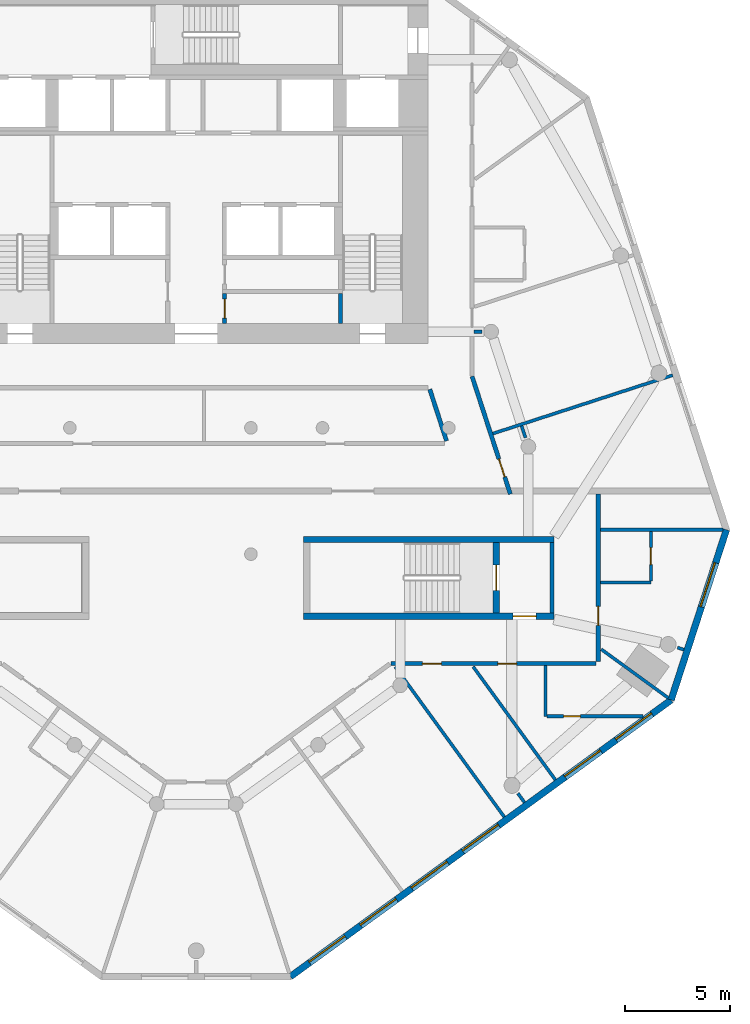
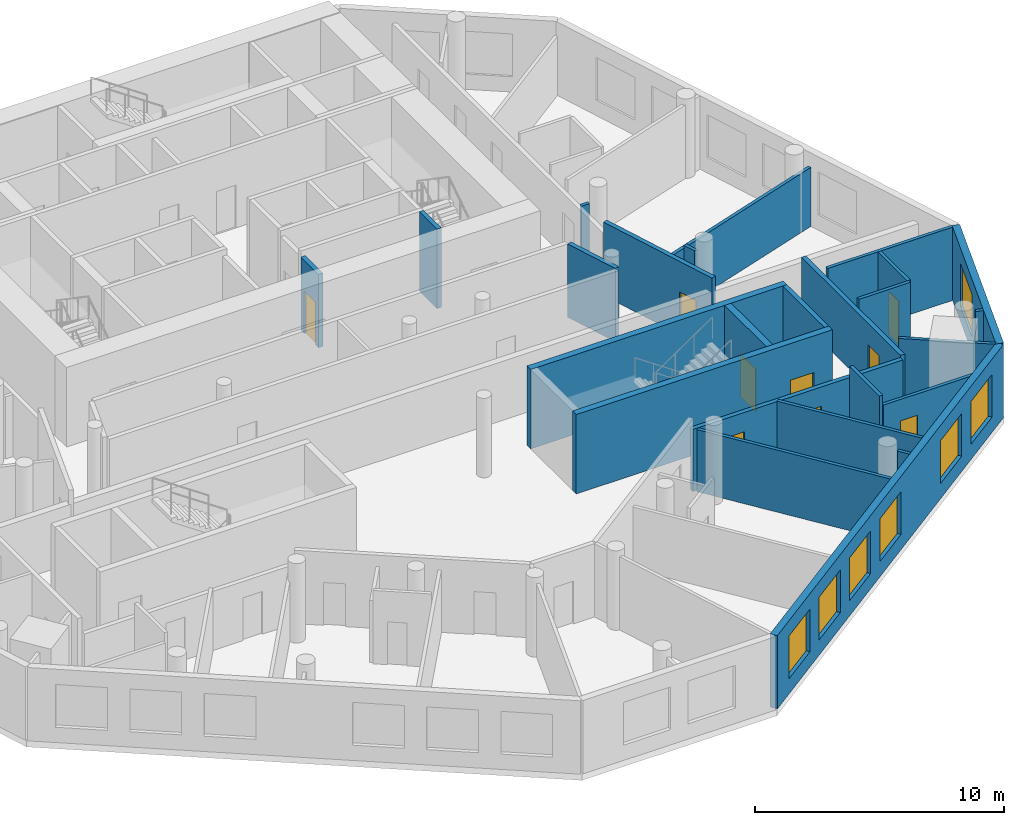
# One storey, part 4 of 9: 25 walls, 9 doors, 7 windows, 16 openings.
"""IFC4 building model written with IfcOpenShell, lengths in metres."""

import ifcopenshell
import ifcopenshell.guid

model = None  # the IFC model being written
_history = None  # IfcOwnerHistory: only IFC2X3 demands one
_inside = {}  # id of a spatial element -> (the spatial element, [elements in it])
_under = {}  # id of a project, library or spatial element -> (it, [spatial elements below it])
_declared = {}  # id of a project -> (the project, [libraries it declares])
_typed = {}  # id of a type object -> (the type object, [elements of that type])
_made_of = {}  # id of a material, layer set ... -> (it, [elements and type objects made of it])


def new_model(schema):
    """Start an empty IFC model of exactly this schema.

    Asked for "IFC4X3", IfcOpenShell would pick the latest addendum, in which some entities
    have other attributes; the version numbers below select the first issue.
    IFC2X3 requires an IfcOwnerHistory on every rooted entity: one is made here for all.
    """
    global model, _history
    if schema == "IFC4X3":
        model = ifcopenshell.file(schema_version=(4, 3, 0, 0))
    else:
        model = ifcopenshell.file(schema=schema)
    _inside.clear()
    _under.clear()
    _declared.clear()
    _typed.clear()
    _made_of.clear()
    _history = None
    if model.schema == "IFC2X3":
        org = make("IfcOrganization", Name="unknown")
        user = make(
            "IfcPersonAndOrganization",
            ThePerson=make("IfcPerson", FamilyName="unknown"),
            TheOrganization=org,
        )
        app = make(
            "IfcApplication",
            ApplicationDeveloper=org,
            Version="unknown",
            ApplicationFullName="unknown",
            ApplicationIdentifier="unknown",
        )
        _history = make(
            "IfcOwnerHistory",
            OwningUser=user,
            OwningApplication=app,
            ChangeAction="ADDED",
            CreationDate=0,
        )
    return model


def make(cls, **values):
    """One entity of the class cls with the attributes given. An attribute that is None is left unset."""
    return model.create_entity(
        cls, **{name: value for name, value in values.items() if value is not None}
    )


def rooted(cls, **values):
    """An entity with a GlobalId (a new one), such as an element, a storey or a relation."""
    return make(cls, GlobalId=ifcopenshell.guid.new(), OwnerHistory=_history, **values)


def si_unit(unit_type, name, prefix=None):
    """IfcSIUnit, for example si_unit("LENGTHUNIT", "METRE", prefix="MILLI")."""
    return make("IfcSIUnit", UnitType=unit_type, Prefix=prefix, Name=name)


def assignment(units):
    """IfcUnitAssignment: the units of a project."""
    return None if units is None else make("IfcUnitAssignment", Units=units)


def point(xyz):
    """IfcCartesianPoint."""
    return None if xyz is None else make("IfcCartesianPoint", Coordinates=xyz)


def direction(xyz):
    """IfcDirection."""
    return None if xyz is None else make("IfcDirection", DirectionRatios=xyz)


def frame(location, z_axis=None, x_axis=None):
    """IfcAxis2Placement3D, a coordinate frame: its origin and axes. An axis left out is left unset."""
    return make(
        "IfcAxis2Placement3D",
        Location=point(location),
        Axis=direction(z_axis),
        RefDirection=direction(x_axis),
    )


def frame_2d(location, x_axis=None):
    """IfcAxis2Placement2D, a coordinate frame in the plane: its origin and x axis."""
    return make(
        "IfcAxis2Placement2D", Location=point(location), RefDirection=direction(x_axis)
    )


def origin():
    """The frame at (0, 0, 0) with its axes left unset."""
    return frame((0.0, 0.0, 0.0))


def place(relative_to, where):
    """IfcLocalPlacement: puts the frame where relative to a parent placement (None: the world)."""
    return make(
        "IfcLocalPlacement", PlacementRelTo=relative_to, RelativePlacement=where
    )


def context(
    kind, dimensions, precision=None, world=None, true_north=None, identifier=None
):
    """IfcGeometricRepresentationContext, for example the 3D "Model" context."""
    return make(
        "IfcGeometricRepresentationContext",
        ContextIdentifier=identifier,
        ContextType=kind,
        CoordinateSpaceDimension=dimensions,
        Precision=precision,
        WorldCoordinateSystem=world,
        TrueNorth=true_north,
    )


def subcontext(parent, identifier, kind, view, scale=None):
    """IfcGeometricRepresentationSubContext, for example "Body" below "Model"."""
    return make(
        "IfcGeometricRepresentationSubContext",
        ContextIdentifier=identifier,
        ContextType=kind,
        ParentContext=parent,
        TargetScale=scale,
        TargetView=view,
    )


def project(units=None, contexts=None):
    """IfcProject with its units and contexts."""
    return rooted(
        "IfcProject",
        Name="project",
        RepresentationContexts=contexts,
        UnitsInContext=assignment(units),
    )


def spatial(cls, under=None, at=None, **own):
    """A site, building, storey or space (cls), placed at a placement, below another one or the project."""
    s = rooted(cls, ObjectPlacement=at, **own)
    if under is not None:
        _under.setdefault(under.id(), (under, []))[1].append(s)
    return s


def profile(cls, at=None, kind="AREA", **sizes):
    """A parametric profile (cls). Its sizes go by their IFC names, for example OverallWidth=200.0."""
    return make(cls, ProfileType=kind, Position=at, **sizes)


def rectangle(**sizes):
    """IfcRectangleProfileDef."""
    return profile("IfcRectangleProfileDef", **sizes)


def extrude(swept, where, along, depth):
    """IfcExtrudedAreaSolid: the profile swept, set in the frame where, extruded along a direction by depth."""
    return make(
        "IfcExtrudedAreaSolid",
        SweptArea=swept,
        Position=where,
        ExtrudedDirection=direction(along),
        Depth=depth,
    )


def shape(context_of_items, identifier, shape_type, items):
    """IfcShapeRepresentation: the items that make up one representation, for example the "Body"."""
    return make(
        "IfcShapeRepresentation",
        ContextOfItems=context_of_items,
        RepresentationIdentifier=identifier,
        RepresentationType=shape_type,
        Items=items,
    )


def material(Name=None, Category=None):
    """IfcMaterial."""
    return make("IfcMaterial", Name=Name, Category=Category)


def layer(
    of_material, thickness, ventilated=None, Name=None, Category=None, Priority=None
):
    """IfcMaterialLayer: one layer of a wall or slab, of a material (None: an air gap)."""
    return make(
        "IfcMaterialLayer",
        Material=of_material,
        LayerThickness=thickness,
        IsVentilated=ventilated,
        Name=Name,
        Category=Category,
        Priority=Priority,
    )


def layer_set(layers, Name=None):
    """IfcMaterialLayerSet."""
    return make("IfcMaterialLayerSet", MaterialLayers=layers, LayerSetName=Name)


def made_of(thing, what):
    """Note that an element or type object is made of a material, layer set ...; save() writes the relation."""
    if what is not None:
        _made_of.setdefault(what.id(), (what, []))[1].append(thing)
    return thing


def type_object(cls, material=None, **own):
    """A type object (cls), such as IfcWallType, which elements share."""
    return made_of(rooted(cls, **own), material)


def element(
    cls,
    number,
    at=None,
    inside=None,
    cuts=None,
    type_object=None,
    material=None,
    context=None,
    identifier="Body",
    shape_type=None,
    held_by="IfcProductDefinitionShape",
    body=None,
    shapes=None,
    **own,
):
    """One element of the class cls, such as IfcWall. Its Tag is "e" and its number.

    at: its placement. inside: the storey or other place that contains it. cuts: it is an
    opening in that element (IfcRelVoidsElement). A single representation is given by context,
    identifier, shape_type and body (its items); several are given by shapes. held_by: the class
    of the entity that holds the representations. save() writes the other relations.
    """
    e = rooted(cls, Tag="e%d" % number, ObjectPlacement=at, **own)
    if body is not None:
        shapes = [shape(context, identifier, shape_type, body)]
    if shapes is not None:
        e.Representation = make(held_by, Representations=shapes)
    if inside is not None:
        _inside.setdefault(inside.id(), (inside, []))[1].append(e)
    if cuts is not None:
        rooted(
            "IfcRelVoidsElement", RelatingBuildingElement=cuts, RelatedOpeningElement=e
        )
    if type_object is not None:
        _typed.setdefault(type_object.id(), (type_object, []))[1].append(e)
    return made_of(e, material)


def fill(opening, filler):
    """IfcRelFillsElement: the door or window that sits in an opening."""
    return rooted(
        "IfcRelFillsElement",
        RelatingOpeningElement=opening,
        RelatedBuildingElement=filler,
    )


def aggregate(whole, parts):
    """IfcRelAggregates: a whole, such as a stair, and the parts it consists of."""
    return rooted("IfcRelAggregates", RelatingObject=whole, RelatedObjects=parts)


def save(model, path):
    """Write the relations noted so far, then the file.

    IfcRelAggregates (storeys below a building ...), IfcRelContainedInSpatialStructure (elements
    in a storey), IfcRelDefinesByType, IfcRelAssociatesMaterial and IfcRelDeclares: one each for
    every whole, place, type object, material and project.
    """
    for whole, parts in _under.values():
        aggregate(whole, parts)
    for where, things in _inside.values():
        rooted(
            "IfcRelContainedInSpatialStructure",
            RelatedElements=things,
            RelatingStructure=where,
        )
    for kind, things in _typed.values():
        rooted("IfcRelDefinesByType", RelatedObjects=things, RelatingType=kind)
    for what, things in _made_of.values():
        rooted("IfcRelAssociatesMaterial", RelatedObjects=things, RelatingMaterial=what)
    for by, libraries in _declared.values():
        rooted("IfcRelDeclares", RelatingContext=by, RelatedDefinitions=libraries)
    model.write(path)


model = new_model("IFC4")

# Units and contexts
model_context = context("Model", 3, precision=1e-05, world=origin(), true_north=direction((0.0, 1.0)))
body_context = subcontext(model_context, "Body", "Model", "MODEL_VIEW")
ifc_project = project(units=[si_unit("LENGTHUNIT", "METRE"), si_unit("AREAUNIT", "SQUARE_METRE"), si_unit("VOLUMEUNIT", "CUBIC_METRE"), si_unit("PLANEANGLEUNIT", "RADIAN"), si_unit("MASSUNIT", "GRAM", prefix="KILO")], contexts=[model_context])

# Site, building, storey
site_placement = place(None, origin())
site = spatial("IfcSite", under=ifc_project, at=site_placement, CompositionType="ELEMENT")
building_placement = place(site_placement, origin())
building = spatial("IfcBuilding", under=site, at=building_placement, Name="White Candle Pilgrim Tower", CompositionType="ELEMENT")
storey_placement = place(building_placement, frame((0.0, 0.0, 168.10009765625)))
storey = spatial("IfcBuildingStorey", under=building, at=storey_placement, Name="L38", CompositionType="ELEMENT", Elevation=168.10009765625)

# Wall
ifc_material_1 = material(Name="Concrete C60/75", Category="concrete")
ifc_layer_1 = layer(ifc_material_1, 0.199951171875)
ifc_layer_set_1 = layer_set([ifc_layer_1], Name="Core wall 200 mm Concrete C60/75")
wall_type_1 = type_object("IfcWallType", Name="Core wall 200 mm Concrete C60/75", PredefinedType="SHEAR", material=ifc_layer_set_1)
wall_1_placement = place(storey_placement, frame((86.89990234375, 58.199951171875, 0.0), z_axis=(0.0, 0.0, 1.0), x_axis=(0.0, 1.0, 0.0)))
element("IfcWall", 1, at=wall_1_placement, inside=storey, type_object=wall_type_1, Name="WL-L38-C08", PredefinedType="SHEAR", context=body_context, shape_type="SweptSolid", body=[
    extrude(rectangle(XDim=3.35009765625, YDim=0.199951171875, at=frame_2d((1.675048828125, 0.0))), origin(), (0.0, 0.0, 1.0), 3.89990234375),
])

# Wall, opening, door
ifc_material_2 = material(Name="Gypsum board on steel studs", Category="steel")
ifc_layer_2 = layer(ifc_material_2, 0.199951171875)
ifc_layer_set_2 = layer_set([ifc_layer_2], Name="Corridor wall 200 mm EI 45")
wall_type_2 = type_object("IfcWallType", Name="Corridor wall 200 mm EI 45", PredefinedType="PARTITIONING", material=ifc_layer_set_2)
wall_2_placement = place(storey_placement, frame((83.10498046875, 69.44189453125, 0.0), z_axis=(0.0, 0.0, 1.0), x_axis=(0.309018469575, -0.951056036972, 0.0)))
wall_2 = element("IfcWall", 2, at=wall_2_placement, inside=storey, type_object=wall_type_2, Name="WL-L38-P005", PredefinedType="PARTITIONING", context=body_context, shape_type="SweptSolid", body=[
    extrude(rectangle(XDim=5.879638671875, YDim=0.199951171875, at=frame_2d((2.93994140625, 0.0))), origin(), (0.0, 0.0, 1.0), 3.599853515625),
])
opening_1_placement = place(wall_2_placement, frame((4.11865234375, 0.0, 0.0)))
opening_1 = element("IfcOpeningElement", 3, at=opening_1_placement, cuts=wall_2, Name="Opening T11-133", PredefinedType="OPENING", context=body_context, shape_type="SweptSolid", body=[
    extrude(rectangle(XDim=0.89990234375, YDim=2.10009765625, at=frame_2d((0.449951171875, 1.050048828125))), frame((0.0, 0.10986328125, 0.0), z_axis=(0.0, -1.0, 0.0), x_axis=(1.0, 0.0, 0.0)), (0.0, 0.0, 1.0), 0.219970703125),
])
ifc_material_3 = material(Name="Steel door leaf", Category="steel")
door_type_1 = type_object("IfcDoorType", Name="Fire door 900 x 2100 EI 30", OperationType="NOTDEFINED", PredefinedType="DOOR", material=ifc_material_3)
door_1_placement = place(opening_1_placement, origin())
door_1 = element("IfcDoor", 4, at=door_1_placement, inside=storey, type_object=door_type_1, Name="Door T11-133", OperationType="SINGLE_SWING_LEFT", OverallHeight=2.10009765625, OverallWidth=0.89990234375, PredefinedType="DOOR", context=body_context, shape_type="SweptSolid", body=[
    extrude(rectangle(XDim=0.89990234375, YDim=2.10009765625, at=frame_2d((0.449951171875, 1.050048828125))), frame((0.0, 0.02490234375, 0.0), z_axis=(0.0, -1.0, 0.0), x_axis=(1.0, 0.0, 0.0)), (0.0, 0.0, 1.0), 0.050048828125),
])
fill(opening_1, door_1)

wall_3_placement = place(storey_placement, frame((89.10009765625, 63.85009765625, 0.0), z_axis=(0.0, 0.0, 1.0), x_axis=(0.0, -1.0, 0.0)))
wall_3 = element("IfcWall", 5, at=wall_3_placement, inside=storey, type_object=wall_type_2, Name="WL-L38-P006", PredefinedType="PARTITIONING", context=body_context, shape_type="SweptSolid", body=[
    extrude(rectangle(XDim=7.9501953125, YDim=0.199951171875, at=frame_2d((3.97509765625, 0.0))), origin(), (0.0, 0.0, 1.0), 3.14990234375),
])
opening_2_placement = place(wall_3_placement, frame((5.32861328125, 0.0, 0.0)))
opening_2 = element("IfcOpeningElement", 6, at=opening_2_placement, cuts=wall_3, Name="Opening T11-118", PredefinedType="OPENING", context=body_context, shape_type="SweptSolid", body=[
    extrude(rectangle(XDim=0.89990234375, YDim=2.10009765625, at=frame_2d((0.449951171875, 1.050048828125))), frame((0.0, 0.10986328125, 0.0), z_axis=(0.0, -1.0, 0.0), x_axis=(1.0, 0.0, 0.0)), (0.0, 0.0, 1.0), 0.219970703125),
])
door_2_placement = place(opening_2_placement, origin())
door_2 = element("IfcDoor", 7, at=door_2_placement, inside=storey, type_object=door_type_1, Name="Door T11-118", OperationType="SINGLE_SWING_RIGHT", OverallHeight=2.10009765625, OverallWidth=0.89990234375, PredefinedType="DOOR", context=body_context, shape_type="SweptSolid", body=[
    extrude(rectangle(XDim=0.89990234375, YDim=2.10009765625, at=frame_2d((0.449951171875, 1.050048828125))), frame((0.0, 0.02490234375, 0.0), z_axis=(0.0, -1.0, 0.0), x_axis=(1.0, 0.0, 0.0)), (0.0, 0.0, 1.0), 0.050048828125),
])
fill(opening_2, door_2)

# Wall, openings, doors
wall_4_placement = place(storey_placement, frame((89.0, 55.800048828125, 0.0), z_axis=(0.0, 0.0, 1.0), x_axis=(-1.0, 0.0, 0.0)))
wall_4 = element("IfcWall", 8, at=wall_4_placement, inside=storey, type_object=wall_type_2, Name="WL-L38-P007", PredefinedType="PARTITIONING", context=body_context, shape_type="SweptSolid", body=[
    extrude(rectangle(XDim=9.74853515625, YDim=0.199951171875, at=frame_2d((4.874267578125, 0.0))), origin(), (0.0, 0.0, 1.0), 3.0498046875),
])
opening_3_placement = place(wall_4_placement, frame((7.353515625, 0.0, 0.0)))
opening_3 = element("IfcOpeningElement", 9, at=opening_3_placement, cuts=wall_4, Name="Opening T11-114", PredefinedType="OPENING", context=body_context, shape_type="SweptSolid", body=[
    extrude(rectangle(XDim=0.89990234375, YDim=2.10009765625, at=frame_2d((0.449951171875, 1.050048828125))), frame((0.0, 0.10986328125, 0.0), z_axis=(0.0, -1.0, 0.0), x_axis=(1.0, 0.0, 0.0)), (0.0, 0.0, 1.0), 0.219970703125),
])
opening_4_placement = place(wall_4_placement, frame((3.77490234375, 0.0, 0.0)))
opening_4 = element("IfcOpeningElement", 10, at=opening_4_placement, cuts=wall_4, Name="Opening T11-116", PredefinedType="OPENING", context=body_context, shape_type="SweptSolid", body=[
    extrude(rectangle(XDim=0.89990234375, YDim=2.10009765625, at=frame_2d((0.449951171875, 1.050048828125))), frame((0.0, 0.10986328125, 0.0), z_axis=(0.0, -1.0, 0.0), x_axis=(1.0, 0.0, 0.0)), (0.0, 0.0, 1.0), 0.219970703125),
])
door_3_placement = place(opening_3_placement, origin())
door_3 = element("IfcDoor", 11, at=door_3_placement, inside=storey, type_object=door_type_1, Name="Door T11-114", OperationType="SINGLE_SWING_RIGHT", OverallHeight=2.10009765625, OverallWidth=0.89990234375, PredefinedType="DOOR", context=body_context, shape_type="SweptSolid", body=[
    extrude(rectangle(XDim=0.89990234375, YDim=2.10009765625, at=frame_2d((0.449951171875, 1.050048828125))), frame((0.0, 0.02490234375, 0.0), z_axis=(0.0, -1.0, 0.0), x_axis=(1.0, 0.0, 0.0)), (0.0, 0.0, 1.0), 0.050048828125),
])
fill(opening_3, door_3)
door_4_placement = place(opening_4_placement, origin())
door_4 = element("IfcDoor", 12, at=door_4_placement, inside=storey, type_object=door_type_1, Name="Door T11-116", OperationType="SINGLE_SWING_RIGHT", OverallHeight=2.10009765625, OverallWidth=0.89990234375, PredefinedType="DOOR", context=body_context, shape_type="SweptSolid", body=[
    extrude(rectangle(XDim=0.89990234375, YDim=2.10009765625, at=frame_2d((0.449951171875, 1.050048828125))), frame((0.0, 0.02490234375, 0.0), z_axis=(0.0, -1.0, 0.0), x_axis=(1.0, 0.0, 0.0)), (0.0, 0.0, 1.0), 0.050048828125),
])
fill(opening_4, door_4)

# Wall
wall_5_placement = place(storey_placement, frame((81.891357421875, 66.380859375, 0.0), z_axis=(0.0, 0.0, 1.0), x_axis=(-0.309053927645, 0.951044515155, 0.0)))
element("IfcWall", 13, at=wall_5_placement, inside=storey, type_object=wall_type_2, Name="WL-L38-P016", PredefinedType="PARTITIONING", context=body_context, shape_type="SweptSolid", body=[
    extrude(rectangle(XDim=2.576171875, YDim=0.199951171875, at=frame_2d((1.2880859375, 0.0))), origin(), (0.0, 0.0, 1.0), 3.599853515625),
])

# Wall, openings, windows
ifc_material_4 = material(Name="Precast concrete C40/50", Category="concrete")
ifc_layer_3 = layer(ifc_material_4, 0.320068359375)
ifc_layer_set_3 = layer_set([ifc_layer_3], Name="Facade wall EW1 precast concrete C40/50 pier wall with timber-lined reveals")
wall_type_3 = type_object("IfcWallType", Name="Facade wall EW1 precast concrete C40/50 pier wall with timber-lined reveals", PredefinedType="SOLIDWALL", material=ifc_layer_set_3)
wall_6_placement = place(storey_placement, frame((74.475341796875, 40.932373046875, 0.0), z_axis=(0.0, 0.0, 1.0), x_axis=(0.809019373805, 0.587781977274, 0.0)))
wall_6 = element("IfcWall", 14, at=wall_6_placement, inside=storey, type_object=wall_type_3, Name="Facade wall L38 SE", PredefinedType="SOLIDWALL", context=body_context, shape_type="SweptSolid", body=[
    extrude(rectangle(XDim=22.35302734375, YDim=0.320068359375, at=frame_2d((11.176513671875, 0.0))), origin(), (0.0, 0.0, 1.0), 3.599853515625),
])
opening_5_placement = place(wall_6_placement, frame((1.12646484375, 0.0, 0.75)))
opening_5 = element("IfcOpeningElement", 15, at=opening_5_placement, cuts=wall_6, Name="Opening W3", PredefinedType="OPENING", context=body_context, shape_type="SweptSolid", body=[
    extrude(rectangle(XDim=2.10009765625, YDim=2.10009765625, at=frame_2d((1.050048828125, 1.050048828125))), frame((0.0, 0.169921875, 0.0), z_axis=(0.0, -1.0, 0.0), x_axis=(1.0, 0.0, 0.0)), (0.0, 0.0, 1.0), 0.340087890625),
])
opening_6_placement = place(wall_6_placement, frame((4.12646484375, 0.0, 0.75)))
opening_6 = element("IfcOpeningElement", 16, at=opening_6_placement, cuts=wall_6, Name="Opening W3", PredefinedType="OPENING", context=body_context, shape_type="SweptSolid", body=[
    extrude(rectangle(XDim=2.10009765625, YDim=2.10009765625, at=frame_2d((1.050048828125, 1.050048828125))), frame((0.0, 0.169921875, 0.0), z_axis=(0.0, -1.0, 0.0), x_axis=(1.0, 0.0, 0.0)), (0.0, 0.0, 1.0), 0.340087890625),
])
opening_7_placement = place(wall_6_placement, frame((7.12646484375, 0.0, 0.75)))
opening_7 = element("IfcOpeningElement", 17, at=opening_7_placement, cuts=wall_6, Name="Opening W3", PredefinedType="OPENING", context=body_context, shape_type="SweptSolid", body=[
    extrude(rectangle(XDim=2.10009765625, YDim=2.10009765625, at=frame_2d((1.050048828125, 1.050048828125))), frame((0.0, 0.169921875, 0.0), z_axis=(0.0, -1.0, 0.0), x_axis=(1.0, 0.0, 0.0)), (0.0, 0.0, 1.0), 0.340087890625),
])
opening_8_placement = place(wall_6_placement, frame((10.12646484375, 0.0, 0.75)))
opening_8 = element("IfcOpeningElement", 18, at=opening_8_placement, cuts=wall_6, Name="Opening W3", PredefinedType="OPENING", context=body_context, shape_type="SweptSolid", body=[
    extrude(rectangle(XDim=2.10009765625, YDim=2.10009765625, at=frame_2d((1.050048828125, 1.050048828125))), frame((0.0, 0.169921875, 0.0), z_axis=(0.0, -1.0, 0.0), x_axis=(1.0, 0.0, 0.0)), (0.0, 0.0, 1.0), 0.340087890625),
])
opening_9_placement = place(wall_6_placement, frame((16.12646484375, 0.0, 0.75)))
opening_9 = element("IfcOpeningElement", 19, at=opening_9_placement, cuts=wall_6, Name="Opening W3", PredefinedType="OPENING", context=body_context, shape_type="SweptSolid", body=[
    extrude(rectangle(XDim=2.10009765625, YDim=2.10009765625, at=frame_2d((1.050048828125, 1.050048828125))), frame((0.0, 0.169921875, 0.0), z_axis=(0.0, -1.0, 0.0), x_axis=(1.0, 0.0, 0.0)), (0.0, 0.0, 1.0), 0.340087890625),
])
opening_10_placement = place(wall_6_placement, frame((19.12646484375, 0.0, 0.75)))
opening_10 = element("IfcOpeningElement", 20, at=opening_10_placement, cuts=wall_6, Name="Opening W3", PredefinedType="OPENING", context=body_context, shape_type="SweptSolid", body=[
    extrude(rectangle(XDim=2.10009765625, YDim=2.10009765625, at=frame_2d((1.050048828125, 1.050048828125))), frame((0.0, 0.169921875, 0.0), z_axis=(0.0, -1.0, 0.0), x_axis=(1.0, 0.0, 0.0)), (0.0, 0.0, 1.0), 0.340087890625),
])
ifc_material_5 = material(Name="Timber frame with triple glazing", Category="wood")
window_type_1 = type_object("IfcWindowType", Name="Window W3 2100x2100 timber frame triple glazing", PartitioningType="SINGLE_PANEL", PredefinedType="WINDOW", material=ifc_material_5)
window_1_placement = place(opening_5_placement, origin())
window_1 = element("IfcWindow", 21, at=window_1_placement, inside=storey, type_object=window_type_1, Name="Window W3 L38 SE 1", OverallHeight=2.10009765625, OverallWidth=2.10009765625, PartitioningType="SINGLE_PANEL", PredefinedType="WINDOW", context=body_context, shape_type="SweptSolid", body=[
    extrude(rectangle(XDim=2.10009765625, YDim=2.10009765625, at=frame_2d((1.050048828125, 1.050048828125))), frame((0.0, 0.070068359375, 0.0), z_axis=(0.0, -1.0, 0.0), x_axis=(1.0, 0.0, 0.0)), (0.0, 0.0, 1.0), 0.06005859375),
])
fill(opening_5, window_1)
window_2_placement = place(opening_6_placement, origin())
window_2 = element("IfcWindow", 22, at=window_2_placement, inside=storey, type_object=window_type_1, Name="Window W3 L38 SE 2", OverallHeight=2.10009765625, OverallWidth=2.10009765625, PartitioningType="SINGLE_PANEL", PredefinedType="WINDOW", context=body_context, shape_type="SweptSolid", body=[
    extrude(rectangle(XDim=2.10009765625, YDim=2.10009765625, at=frame_2d((1.050048828125, 1.050048828125))), frame((0.0, 0.070068359375, 0.0), z_axis=(0.0, -1.0, 0.0), x_axis=(1.0, 0.0, 0.0)), (0.0, 0.0, 1.0), 0.06005859375),
])
fill(opening_6, window_2)
window_3_placement = place(opening_7_placement, origin())
window_3 = element("IfcWindow", 23, at=window_3_placement, inside=storey, type_object=window_type_1, Name="Window W3 L38 SE 3", OverallHeight=2.10009765625, OverallWidth=2.10009765625, PartitioningType="SINGLE_PANEL", PredefinedType="WINDOW", context=body_context, shape_type="SweptSolid", body=[
    extrude(rectangle(XDim=2.10009765625, YDim=2.10009765625, at=frame_2d((1.050048828125, 1.050048828125))), frame((0.0, 0.070068359375, 0.0), z_axis=(0.0, -1.0, 0.0), x_axis=(1.0, 0.0, 0.0)), (0.0, 0.0, 1.0), 0.06005859375),
])
fill(opening_7, window_3)
window_4_placement = place(opening_8_placement, origin())
window_4 = element("IfcWindow", 24, at=window_4_placement, inside=storey, type_object=window_type_1, Name="Window W3 L38 SE 4", OverallHeight=2.10009765625, OverallWidth=2.10009765625, PartitioningType="SINGLE_PANEL", PredefinedType="WINDOW", context=body_context, shape_type="SweptSolid", body=[
    extrude(rectangle(XDim=2.10009765625, YDim=2.10009765625, at=frame_2d((1.050048828125, 1.050048828125))), frame((0.0, 0.070068359375, 0.0), z_axis=(0.0, -1.0, 0.0), x_axis=(1.0, 0.0, 0.0)), (0.0, 0.0, 1.0), 0.06005859375),
])
fill(opening_8, window_4)
window_5_placement = place(opening_9_placement, origin())
window_5 = element("IfcWindow", 25, at=window_5_placement, inside=storey, type_object=window_type_1, Name="Window W3 L38 SE 6", OverallHeight=2.10009765625, OverallWidth=2.10009765625, PartitioningType="SINGLE_PANEL", PredefinedType="WINDOW", context=body_context, shape_type="SweptSolid", body=[
    extrude(rectangle(XDim=2.10009765625, YDim=2.10009765625, at=frame_2d((1.050048828125, 1.050048828125))), frame((0.0, 0.070068359375, 0.0), z_axis=(0.0, -1.0, 0.0), x_axis=(1.0, 0.0, 0.0)), (0.0, 0.0, 1.0), 0.06005859375),
])
fill(opening_9, window_5)
window_6_placement = place(opening_10_placement, origin())
window_6 = element("IfcWindow", 26, at=window_6_placement, inside=storey, type_object=window_type_1, Name="Window W3 L38 SE 7", OverallHeight=2.10009765625, OverallWidth=2.10009765625, PartitioningType="SINGLE_PANEL", PredefinedType="WINDOW", context=body_context, shape_type="SweptSolid", body=[
    extrude(rectangle(XDim=2.10009765625, YDim=2.10009765625, at=frame_2d((1.050048828125, 1.050048828125))), frame((0.0, 0.070068359375, 0.0), z_axis=(0.0, -1.0, 0.0), x_axis=(1.0, 0.0, 0.0)), (0.0, 0.0, 1.0), 0.06005859375),
])
fill(opening_10, window_6)

# Wall, opening, window
wall_7_placement = place(storey_placement, frame((92.559326171875, 54.071044921875, 0.0), z_axis=(0.0, 0.0, 1.0), x_axis=(0.30900946713, 0.951058962012, 0.0)))
wall_7 = element("IfcWall", 27, at=wall_7_placement, inside=storey, type_object=wall_type_3, Name="Facade wall L38 E chamfer", PredefinedType="SOLIDWALL", context=body_context, shape_type="SweptSolid", body=[
    extrude(rectangle(XDim=8.503662109375, YDim=0.320068359375, at=frame_2d((4.251953125, 0.0))), origin(), (0.0, 0.0, 1.0), 3.599853515625),
])
opening_11_placement = place(wall_7_placement, frame((4.65185546875, 0.0, 0.75)))
opening_11 = element("IfcOpeningElement", 28, at=opening_11_placement, cuts=wall_7, Name="Opening W4", PredefinedType="OPENING", context=body_context, shape_type="SweptSolid", body=[
    extrude(rectangle(XDim=2.199951171875, YDim=2.10009765625, at=frame_2d((1.10009765625, 1.050048828125))), frame((0.0, 0.169921875, 0.0), z_axis=(0.0, -1.0, 0.0), x_axis=(1.0, 0.0, 0.0)), (0.0, 0.0, 1.0), 0.340087890625),
])
window_type_2 = type_object("IfcWindowType", Name="Window W4 2200x2100 timber frame triple glazing", PartitioningType="SINGLE_PANEL", PredefinedType="WINDOW", material=ifc_material_5)
window_7_placement = place(opening_11_placement, origin())
window_7 = element("IfcWindow", 29, at=window_7_placement, inside=storey, type_object=window_type_2, Name="Window W4 L38 E chamfer 2", OverallHeight=2.10009765625, OverallWidth=2.199951171875, PartitioningType="SINGLE_PANEL", PredefinedType="WINDOW", context=body_context, shape_type="SweptSolid", body=[
    extrude(rectangle(XDim=2.199951171875, YDim=2.10009765625, at=frame_2d((1.10009765625, 1.050048828125))), frame((0.0, 0.070068359375, 0.0), z_axis=(0.0, -1.0, 0.0), x_axis=(1.0, 0.0, 0.0)), (0.0, 0.0, 1.0), 0.06005859375),
])
fill(opening_11, window_7)

# Wall, opening, door
ifc_layer_4 = layer(ifc_material_2, 0.199951171875)
ifc_layer_set_4 = layer_set([ifc_layer_4], Name="Lobby wall 200 mm EI 60")
wall_type_4 = type_object("IfcWallType", Name="Lobby wall 200 mm EI 60", PredefinedType="PARTITIONING", material=ifc_layer_set_4)
wall_8_placement = place(storey_placement, frame((71.35009765625, 71.949951171875, 0.0), z_axis=(0.0, 0.0, 1.0), x_axis=(0.0, 1.0, 0.0)))
wall_8 = element("IfcWall", 30, at=wall_8_placement, inside=storey, type_object=wall_type_4, Name="WL-L38-C15", PredefinedType="PARTITIONING", context=body_context, shape_type="SweptSolid", body=[
    extrude(rectangle(XDim=1.425048828125, YDim=0.199951171875, at=frame_2d((0.71240234375, 0.0))), origin(), (0.0, 0.0, 1.0), 3.599853515625),
])
opening_12_placement = place(wall_8_placement, frame((0.262451171875, 0.0, 0.0)))
opening_12 = element("IfcOpeningElement", 31, at=opening_12_placement, cuts=wall_8, Name="Opening T11-006", PredefinedType="OPENING", context=body_context, shape_type="SweptSolid", body=[
    extrude(rectangle(XDim=0.89990234375, YDim=2.10009765625, at=frame_2d((0.449951171875, 1.050048828125))), frame((0.0, 0.10986328125, 0.0), z_axis=(0.0, -1.0, 0.0), x_axis=(1.0, 0.0, 0.0)), (0.0, 0.0, 1.0), 0.219970703125),
])
door_5_placement = place(opening_12_placement, origin())
door_5 = element("IfcDoor", 32, at=door_5_placement, inside=storey, type_object=door_type_1, Name="Door T11-006", OperationType="SINGLE_SWING_RIGHT", OverallHeight=2.10009765625, OverallWidth=0.89990234375, PredefinedType="DOOR", context=body_context, shape_type="SweptSolid", body=[
    extrude(rectangle(XDim=0.89990234375, YDim=2.10009765625, at=frame_2d((0.449951171875, 1.050048828125))), frame((0.0, 0.02490234375, 0.0), z_axis=(0.0, -1.0, 0.0), x_axis=(1.0, 0.0, 0.0)), (0.0, 0.0, 1.0), 0.050048828125),
])
fill(opening_12, door_5)

# Walls
ifc_layer_5 = layer(ifc_material_2, 0.14990234375)
ifc_layer_set_5 = layer_set([ifc_layer_5], Name="Partition 150 mm EI 60")
wall_type_5 = type_object("IfcWallType", Name="Partition 150 mm EI 60", PredefinedType="PARTITIONING", material=ifc_layer_set_5)
wall_9_placement = place(storey_placement, frame((92.423095703125, 54.169921875, 0.0), z_axis=(0.0, 0.0, 1.0), x_axis=(-0.809026161047, 0.587772635244, 0.0)))
element("IfcWall", 33, at=wall_9_placement, inside=storey, type_object=wall_type_5, Name="WL-L38-P022", PredefinedType="PARTITIONING", context=body_context, shape_type="SweptSolid", body=[
    extrude(rectangle(XDim=3.929443359375, YDim=0.14990234375, at=frame_2d((1.96484375, 0.0))), origin(), (0.0, 0.0, 1.0), 3.599853515625),
])
wall_10_placement = place(storey_placement, frame((95.018798828125, 62.158447265625, 0.0), z_axis=(0.0, 0.0, 1.0), x_axis=(-1.0, 0.0, 0.0)))
element("IfcWall", 34, at=wall_10_placement, inside=storey, type_object=wall_type_5, Name="WL-L38-P023", PredefinedType="PARTITIONING", context=body_context, shape_type="SweptSolid", body=[
    extrude(rectangle(XDim=5.81884765625, YDim=0.14990234375, at=frame_2d((2.909423828125, 0.0))), origin(), (0.0, 0.0, 1.0), 3.599853515625),
])
wall_11_placement = place(storey_placement, frame((84.63671875, 48.5126953125, 0.0), z_axis=(0.0, 0.0, 1.0), x_axis=(-0.587768822725, 0.809028930899, 0.0)))
element("IfcWall", 35, at=wall_11_placement, inside=storey, type_object=wall_type_5, Name="WL-L38-P041", PredefinedType="PARTITIONING", context=body_context, shape_type="SweptSolid", body=[
    extrude(rectangle(XDim=8.82958984375, YDim=0.14990234375, at=frame_2d((4.414794921875, 0.0))), origin(), (0.0, 0.0, 1.0), 3.0498046875),
])
wall_12_placement = place(storey_placement, frame((87.063720703125, 50.276123046875, 0.0), z_axis=(0.0, 0.0, 1.0), x_axis=(-0.587783062089, 0.809018585646, 0.0)))
element("IfcWall", 36, at=wall_12_placement, inside=storey, type_object=wall_type_5, Name="WL-L38-P042", PredefinedType="PARTITIONING", context=body_context, shape_type="SweptSolid", body=[
    extrude(rectangle(XDim=6.64990234375, YDim=0.14990234375, at=frame_2d((3.324951171875, 0.0))), origin(), (0.0, 0.0, 1.0), 3.14990234375),
])
wall_13_placement = place(storey_placement, frame((86.60009765625, 55.699951171875, 0.0), z_axis=(0.0, 0.0, 1.0), x_axis=(0.0, -1.0, 0.0)))
element("IfcWall", 37, at=wall_13_placement, inside=storey, type_object=wall_type_5, Name="WL-L38-P045", PredefinedType="PARTITIONING", context=body_context, shape_type="SweptSolid", body=[
    extrude(rectangle(XDim=2.39990234375, YDim=0.14990234375, at=frame_2d((1.199951171875, 0.0))), origin(), (0.0, 0.0, 1.0), 3.599853515625),
])

# Wall, opening, door
wall_14_placement = place(storey_placement, frame((91.225830078125, 53.300048828125, 0.0), z_axis=(0.0, 0.0, 1.0), x_axis=(-1.0, 0.0, 0.0)))
wall_14 = element("IfcWall", 38, at=wall_14_placement, inside=storey, type_object=wall_type_5, Name="WL-L38-P046", PredefinedType="PARTITIONING", context=body_context, shape_type="SweptSolid", body=[
    extrude(rectangle(XDim=4.55078125, YDim=0.14990234375, at=frame_2d((2.275390625, 0.0))), origin(), (0.0, 0.0, 1.0), 3.14990234375),
])
opening_13_placement = place(wall_14_placement, frame((2.975830078125, 0.0, 0.0)))
opening_13 = element("IfcOpeningElement", 39, at=opening_13_placement, cuts=wall_14, Name="Opening T11-115", PredefinedType="OPENING", context=body_context, shape_type="SweptSolid", body=[
    extrude(rectangle(XDim=0.800048828125, YDim=2.10009765625, at=frame_2d((0.39990234375, 1.050048828125))), frame((0.0, 0.0849609375, 0.0), z_axis=(0.0, -1.0, 0.0), x_axis=(1.0, 0.0, 0.0)), (0.0, 0.0, 1.0), 0.169921875),
])
door_type_2 = type_object("IfcDoorType", Name="Fire door 800 x 2100 EI 30", OperationType="NOTDEFINED", PredefinedType="DOOR", material=ifc_material_3)
door_6_placement = place(opening_13_placement, origin())
door_6 = element("IfcDoor", 40, at=door_6_placement, inside=storey, type_object=door_type_2, Name="Door T11-115", OperationType="SINGLE_SWING_LEFT", OverallHeight=2.10009765625, OverallWidth=0.800048828125, PredefinedType="DOOR", context=body_context, shape_type="SweptSolid", body=[
    extrude(rectangle(XDim=0.800048828125, YDim=2.10009765625, at=frame_2d((0.39990234375, 1.050048828125))), frame((0.0, 0.02490234375, 0.0), z_axis=(0.0, -1.0, 0.0), x_axis=(1.0, 0.0, 0.0)), (0.0, 0.0, 1.0), 0.050048828125),
])
fill(opening_13, door_6)

# Wall
wall_15_placement = place(storey_placement, frame((89.199951171875, 59.658447265625, 0.0), z_axis=(0.0, 0.0, 1.0), x_axis=(1.0, 0.0, 0.0)))
element("IfcWall", 41, at=wall_15_placement, inside=storey, type_object=wall_type_5, Name="WL-L38-P047", PredefinedType="PARTITIONING", context=body_context, shape_type="SweptSolid", body=[
    extrude(rectangle(XDim=2.400146484375, YDim=0.14990234375, at=frame_2d((1.2001953125, 0.0))), origin(), (0.0, 0.0, 1.0), 3.599853515625),
])

# Wall, opening, door
wall_16_placement = place(storey_placement, frame((91.60009765625, 62.08349609375, 0.0), z_axis=(0.0, 0.0, 1.0), x_axis=(0.0, -1.0, 0.0)))
wall_16 = element("IfcWall", 42, at=wall_16_placement, inside=storey, type_object=wall_type_5, Name="WL-L38-P048", PredefinedType="PARTITIONING", context=body_context, shape_type="SweptSolid", body=[
    extrude(rectangle(XDim=2.35009765625, YDim=0.14990234375, at=frame_2d((1.175048828125, 0.0))), origin(), (0.0, 0.0, 1.0), 3.599853515625),
])
opening_14_placement = place(wall_16_placement, frame((0.77490234375, 0.0, 0.0)))
opening_14 = element("IfcOpeningElement", 43, at=opening_14_placement, cuts=wall_16, Name="Opening T11-117", PredefinedType="OPENING", context=body_context, shape_type="SweptSolid", body=[
    extrude(rectangle(XDim=0.800048828125, YDim=2.10009765625, at=frame_2d((0.39990234375, 1.050048828125))), frame((0.0, 0.0849609375, 0.0), z_axis=(0.0, -1.0, 0.0), x_axis=(1.0, 0.0, 0.0)), (0.0, 0.0, 1.0), 0.169921875),
])
door_7_placement = place(opening_14_placement, origin())
door_7 = element("IfcDoor", 44, at=door_7_placement, inside=storey, type_object=door_type_2, Name="Door T11-117", OperationType="SINGLE_SWING_LEFT", OverallHeight=2.10009765625, OverallWidth=0.800048828125, PredefinedType="DOOR", context=body_context, shape_type="SweptSolid", body=[
    extrude(rectangle(XDim=0.800048828125, YDim=2.10009765625, at=frame_2d((0.39990234375, 1.050048828125))), frame((0.0, 0.02490234375, 0.0), z_axis=(0.0, -1.0, 0.0), x_axis=(1.0, 0.0, 0.0)), (0.0, 0.0, 1.0), 0.050048828125),
])
fill(opening_14, door_7)

# Walls
wall_17_placement = place(storey_placement, frame((92.6328125, 69.50146484375, 0.0), z_axis=(0.0, 0.0, 1.0), x_axis=(-0.951051249243, -0.309033204224, 0.0)))
element("IfcWall", 45, at=wall_17_placement, inside=storey, type_object=wall_type_5, Name="WL-L38-P049", PredefinedType="PARTITIONING", context=body_context, shape_type="SweptSolid", body=[
    extrude(rectangle(XDim=8.97998046875, YDim=0.14990234375, at=frame_2d((4.489990234375, 0.0))), origin(), (0.0, 0.0, 1.0), 2.89990234375),
])
wall_18_placement = place(storey_placement, frame((85.28076171875, 49.639404296875, 0.0), z_axis=(0.0, 0.0, 1.0), x_axis=(0.587763032522, -0.809033137517, 0.0)))
element("IfcWall", 46, at=wall_18_placement, inside=storey, type_object=wall_type_5, Name="WL-L38-P059", PredefinedType="PARTITIONING", context=body_context, shape_type="SweptSolid", body=[
    extrude(rectangle(XDim=0.532958984375, YDim=0.14990234375, at=frame_2d((0.2666015625, 0.0))), origin(), (0.0, 0.0, 1.0), 3.599853515625),
])
wall_19_placement = place(storey_placement, frame((92.861083984375, 56.56298828125, 0.0), z_axis=(0.0, 0.0, 1.0), x_axis=(0.95100073077, -0.309188631864, 0.0)))
element("IfcWall", 47, at=wall_19_placement, inside=storey, type_object=wall_type_5, Name="WL-L38-P060", PredefinedType="PARTITIONING", context=body_context, shape_type="SweptSolid", body=[
    extrude(rectangle(XDim=0.322998046875, YDim=0.14990234375, at=frame_2d((0.16162109375, 0.0))), origin(), (0.0, 0.0, 1.0), 3.599853515625),
])
wall_20_placement = place(storey_placement, frame((85.64111328125, 66.52734375, 0.0), z_axis=(0.0, 0.0, 1.0), x_axis=(-0.309179160729, 0.951003809966, 0.0)))
element("IfcWall", 48, at=wall_20_placement, inside=storey, type_object=wall_type_5, Name="WL-L38-P061", PredefinedType="PARTITIONING", context=body_context, shape_type="SweptSolid", body=[
    extrude(rectangle(XDim=0.593017578125, YDim=0.14990234375, at=frame_2d((0.29638671875, 0.0))), origin(), (0.0, 0.0, 1.0), 3.0498046875),
])
wall_21_placement = place(storey_placement, frame((83.570068359375, 71.567626953125, 0.0), z_axis=(0.0, 0.0, 1.0), x_axis=(-1.0, 0.0, 0.0)))
element("IfcWall", 49, at=wall_21_placement, inside=storey, type_object=wall_type_5, Name="WL-L38-P062", PredefinedType="PARTITIONING", context=body_context, shape_type="SweptSolid", body=[
    extrude(rectangle(XDim=0.3701171875, YDim=0.14990234375, at=frame_2d((0.18505859375, 0.0))), origin(), (0.0, 0.0, 1.0), 3.0498046875),
])
ifc_layer_6 = layer(ifc_material_1, 0.199951171875)
ifc_layer_set_6 = layer_set([ifc_layer_6], Name="Stair shaft wall 200 mm Concrete C60/75")
wall_type_6 = type_object("IfcWallType", Name="Stair shaft wall 200 mm Concrete C60/75", PredefinedType="SHEAR", material=ifc_layer_set_6)
wall_22_placement = place(storey_placement, frame((76.85009765625, 71.949951171875, 0.0), z_axis=(0.0, 0.0, 1.0), x_axis=(0.0, 1.0, 0.0)))
element("IfcWall", 50, at=wall_22_placement, inside=storey, type_object=wall_type_6, Name="WL-L38-C16", PredefinedType="SHEAR", context=body_context, shape_type="SweptSolid", body=[
    extrude(rectangle(XDim=1.425048828125, YDim=0.199951171875, at=frame_2d((0.71240234375, 0.0))), origin(), (0.0, 0.0, 1.0), 3.89990234375),
])

# Wall, opening, door
ifc_layer_7 = layer(ifc_material_1, 0.300048828125)
ifc_layer_set_7 = layer_set([ifc_layer_7], Name="Stair shaft wall 300 mm Concrete C60/75")
wall_type_7 = type_object("IfcWallType", Name="Stair shaft wall 300 mm Concrete C60/75", PredefinedType="SHEAR", material=ifc_layer_set_7)
wall_23_placement = place(storey_placement, frame((75.10009765625, 58.050048828125, 0.0), z_axis=(0.0, 0.0, 1.0), x_axis=(1.0, 0.0, 0.0)))
wall_23 = element("IfcWall", 51, at=wall_23_placement, inside=storey, type_object=wall_type_7, Name="WL-L38-C02", PredefinedType="SHEAR", context=body_context, shape_type="SweptSolid", body=[
    extrude(rectangle(XDim=11.89990234375, YDim=0.300048828125, at=frame_2d((5.949951171875, 0.0))), origin(), (0.0, 0.0, 1.0), 3.89990234375),
])
opening_15_placement = place(wall_23_placement, frame((9.949951171875, 0.0, 0.0)))
opening_15 = element("IfcOpeningElement", 52, at=opening_15_placement, cuts=wall_23, Name="Opening T11-012", PredefinedType="OPENING", context=body_context, shape_type="SweptSolid", body=[
    extrude(rectangle(XDim=1.10009765625, YDim=2.10009765625, at=frame_2d((0.550048828125, 1.050048828125))), frame((0.0, 0.159912109375, 0.0), z_axis=(0.0, -1.0, 0.0), x_axis=(1.0, 0.0, 0.0)), (0.0, 0.0, 1.0), 0.320068359375),
])
door_type_3 = type_object("IfcDoorType", Name="Fire door 1100 x 2100 EI 60", OperationType="NOTDEFINED", PredefinedType="DOOR", material=ifc_material_3)
door_8_placement = place(opening_15_placement, origin())
door_8 = element("IfcDoor", 53, at=door_8_placement, inside=storey, type_object=door_type_3, Name="Door T11-012", OperationType="SINGLE_SWING_RIGHT", OverallHeight=2.10009765625, OverallWidth=1.10009765625, PredefinedType="DOOR", context=body_context, shape_type="SweptSolid", body=[
    extrude(rectangle(XDim=1.10009765625, YDim=2.10009765625, at=frame_2d((0.550048828125, 1.050048828125))), frame((0.0, 0.02490234375, 0.0), z_axis=(0.0, -1.0, 0.0), x_axis=(1.0, 0.0, 0.0)), (0.0, 0.0, 1.0), 0.050048828125),
])
fill(opening_15, door_8)

wall_24_placement = place(storey_placement, frame((84.25, 58.199951171875, 0.0), z_axis=(0.0, 0.0, 1.0), x_axis=(0.0, 1.0, 0.0)))
wall_24 = element("IfcWall", 54, at=wall_24_placement, inside=storey, type_object=wall_type_7, Name="WL-L38-C07", PredefinedType="SHEAR", context=body_context, shape_type="SweptSolid", body=[
    extrude(rectangle(XDim=3.35009765625, YDim=0.300048828125, at=frame_2d((1.675048828125, 0.0))), origin(), (0.0, 0.0, 1.0), 3.89990234375),
])
opening_16_placement = place(wall_24_placement, frame((1.074951171875, 0.0, 0.0)))
opening_16 = element("IfcOpeningElement", 55, at=opening_16_placement, cuts=wall_24, Name="Opening T11-013", PredefinedType="OPENING", context=body_context, shape_type="SweptSolid", body=[
    extrude(rectangle(XDim=1.199951171875, YDim=2.10009765625, at=frame_2d((0.60009765625, 1.050048828125))), frame((0.0, 0.159912109375, 0.0), z_axis=(0.0, -1.0, 0.0), x_axis=(1.0, 0.0, 0.0)), (0.0, 0.0, 1.0), 0.320068359375),
])
door_type_4 = type_object("IfcDoorType", Name="Fire door 1200 x 2100 EI 60", OperationType="NOTDEFINED", PredefinedType="DOOR", material=ifc_material_3)
door_9_placement = place(opening_16_placement, origin())
door_9 = element("IfcDoor", 56, at=door_9_placement, inside=storey, type_object=door_type_4, Name="Door T11-013", OperationType="SINGLE_SWING_LEFT", OverallHeight=2.10009765625, OverallWidth=1.199951171875, PredefinedType="DOOR", context=body_context, shape_type="SweptSolid", body=[
    extrude(rectangle(XDim=1.199951171875, YDim=2.10009765625, at=frame_2d((0.60009765625, 1.050048828125))), frame((0.0, 0.02490234375, 0.0), z_axis=(0.0, -1.0, 0.0), x_axis=(1.0, 0.0, 0.0)), (0.0, 0.0, 1.0), 0.050048828125),
])
fill(opening_16, door_9)

# Wall
wall_25_placement = place(storey_placement, frame((75.10009765625, 61.699951171875, 0.0), z_axis=(0.0, 0.0, 1.0), x_axis=(1.0, 0.0, 0.0)))
element("IfcWall", 57, at=wall_25_placement, inside=storey, type_object=wall_type_7, Name="WL-L38-C10", PredefinedType="SHEAR", context=body_context, shape_type="SweptSolid", body=[
    extrude(rectangle(XDim=11.89990234375, YDim=0.300048828125, at=frame_2d((5.949951171875, 0.0))), origin(), (0.0, 0.0, 1.0), 3.89990234375),
])

save(model, "model.ifc")
